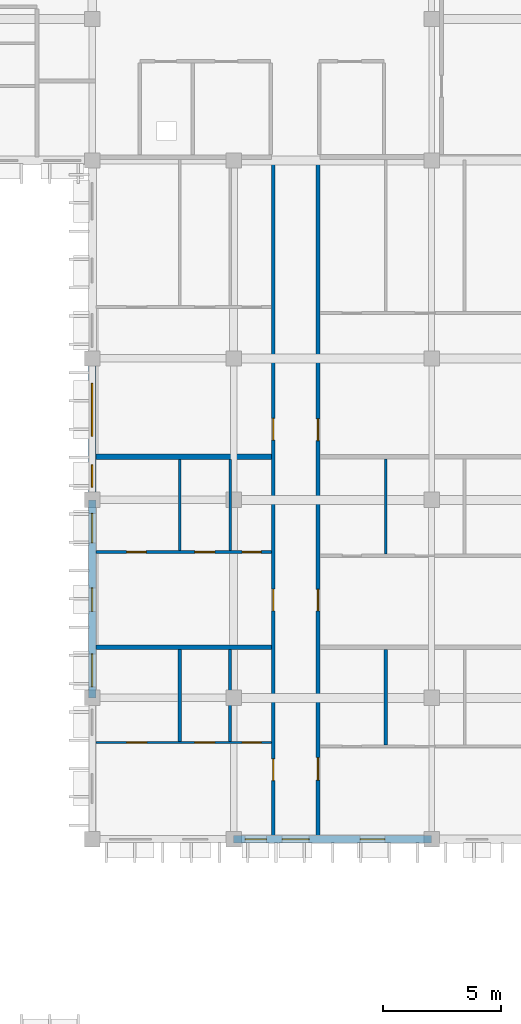
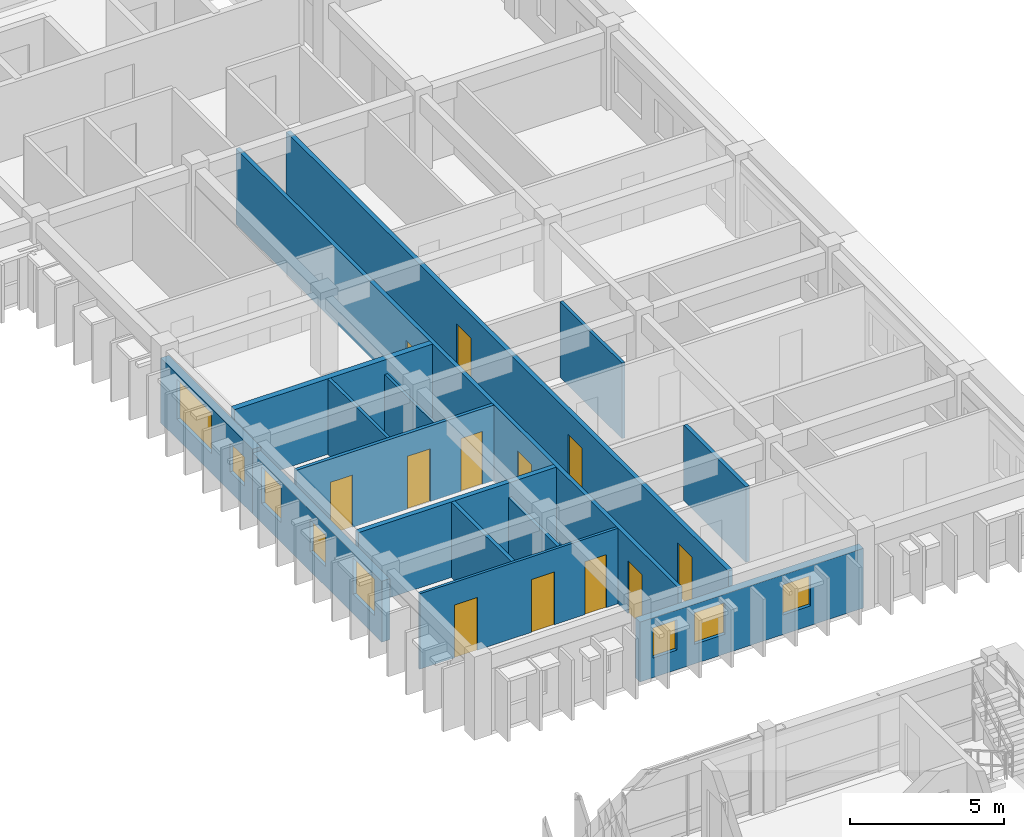
# One storey, part 33 of 66: 15 walls, 12 doors, 8 windows, 20 openings.
"""IFC4 building model written with IfcOpenShell, lengths in metres."""

from ifc_helpers import new_model, si_unit, direction, frame, frame_2d, origin, place, context, subcontext, project, spatial, rectangle, extrude, material, layer, layer_set, type_object, element, fill, save


model = new_model("IFC4")

# Units and contexts
model_context = context("Model", 3, precision=1e-05, world=origin(), true_north=direction((0.0, 1.0)))
body_context = subcontext(model_context, "Body", "Model", "MODEL_VIEW")
ifc_project = project(units=[si_unit("LENGTHUNIT", "METRE"), si_unit("AREAUNIT", "SQUARE_METRE"), si_unit("VOLUMEUNIT", "CUBIC_METRE"), si_unit("PLANEANGLEUNIT", "RADIAN"), si_unit("MASSUNIT", "GRAM", prefix="KILO"), si_unit("THERMODYNAMICTEMPERATUREUNIT", "KELVIN")], contexts=[model_context])

# Site, building, storey
site_placement = place(None, origin())
site = spatial("IfcSite", under=ifc_project, at=site_placement, CompositionType="ELEMENT")
building_placement = place(site_placement, origin())
building = spatial("IfcBuilding", under=site, at=building_placement, Name="Thalorik Housing Commons", CompositionType="ELEMENT")
storey_placement = place(building_placement, frame((0.0, 0.0, 21.300048828125)))
storey = spatial("IfcBuildingStorey", under=building, at=storey_placement, Name="L06", CompositionType="ELEMENT", Elevation=21.300048828125)

# Wall, openings, doors
ifc_material_1 = material(Name="Masonry fire-rated corridor wall", Category="masonry")
ifc_layer_1 = layer(ifc_material_1, 0.14990234375, Name="Masonry fire-rated corridor wall", Category="masonry")
ifc_layer_set_1 = layer_set([ifc_layer_1], Name="Masonry fire-rated corridor wall")
wall_type_1 = type_object("IfcWallType", Name="ARC-WAL-CORR-150", PredefinedType="PARTITIONING", material=ifc_layer_set_1)
wall_1_placement = place(storey_placement, frame((160.080078125, 80.554443359375, 0.0), z_axis=(0.0, 0.0, 1.0), x_axis=(0.0, 1.0, 0.0)))
wall_1 = element("IfcWall", 1, at=wall_1_placement, inside=storey, type_object=wall_type_1, Name="L06 Block B E Corridor Wall 1", PredefinedType="PARTITIONING", context=body_context, shape_type="SweptSolid", body=[
    extrude(rectangle(XDim=28.78564453125, YDim=0.14990234375, at=frame_2d((14.392822265625, 0.0))), origin(), (0.0, 0.0, 1.0), 3.0),
])
opening_1_placement = place(wall_1_placement, frame((2.336669921875, 0.0, 0.0)))
opening_1 = element("IfcOpeningElement", 2, at=opening_1_placement, cuts=wall_1, Name="Opening ID-1272", PredefinedType="OPENING", context=body_context, shape_type="SweptSolid", body=[
    extrude(rectangle(XDim=0.919921875, YDim=2.10009765625, at=frame_2d((0.4599609375, 1.050048828125))), frame((0.0, 0.0849609375, 0.0), z_axis=(0.0, -1.0, 0.0), x_axis=(1.0, 0.0, 0.0)), (0.0, 0.0, 1.0), 0.169921875),
])
opening_2_placement = place(wall_1_placement, frame((9.535400390625, 0.0, 0.0)))
opening_2 = element("IfcOpeningElement", 3, at=opening_2_placement, cuts=wall_1, Name="Opening ID-1273", PredefinedType="OPENING", context=body_context, shape_type="SweptSolid", body=[
    extrude(rectangle(XDim=0.919921875, YDim=2.10009765625, at=frame_2d((0.4599609375, 1.050048828125))), frame((0.0, 0.0849609375, 0.0), z_axis=(0.0, -1.0, 0.0), x_axis=(1.0, 0.0, 0.0)), (0.0, 0.0, 1.0), 0.169921875),
])
opening_3_placement = place(wall_1_placement, frame((16.784423828125, 0.0, 0.0)))
opening_3 = element("IfcOpeningElement", 4, at=opening_3_placement, cuts=wall_1, Name="Opening ID-1274", PredefinedType="OPENING", context=body_context, shape_type="SweptSolid", body=[
    extrude(rectangle(XDim=0.919921875, YDim=2.10009765625, at=frame_2d((0.4599609375, 1.050048828125))), frame((0.0, 0.0849609375, 0.0), z_axis=(0.0, -1.0, 0.0), x_axis=(1.0, 0.0, 0.0)), (0.0, 0.0, 1.0), 0.169921875),
])
ifc_material_2 = material(Name="Solid core hardwood timber", Category="wood")
door_type_1 = type_object("IfcDoorType", Name="ARC-DR-FD30-920", OperationType="NOTDEFINED", PredefinedType="DOOR", material=ifc_material_2)
door_1_placement = place(opening_1_placement, origin())
door_1 = element("IfcDoor", 5, at=door_1_placement, inside=storey, type_object=door_type_1, Name="L06 Flat BE-1A Entrance Door", OperationType="SINGLE_SWING_LEFT", OverallHeight=2.10009765625, OverallWidth=0.919921875, PredefinedType="DOOR", context=body_context, shape_type="SweptSolid", body=[
    extrude(rectangle(XDim=0.919921875, YDim=2.10009765625, at=frame_2d((0.4599609375, 1.050048828125))), frame((0.0, 0.02490234375, 0.0), z_axis=(0.0, -1.0, 0.0), x_axis=(1.0, 0.0, 0.0)), (0.0, 0.0, 1.0), 0.050048828125),
])
fill(opening_1, door_1)
door_2_placement = place(opening_2_placement, origin())
door_2 = element("IfcDoor", 6, at=door_2_placement, inside=storey, type_object=door_type_1, Name="L06 Flat BE-2A Entrance Door", OperationType="SINGLE_SWING_RIGHT", OverallHeight=2.10009765625, OverallWidth=0.919921875, PredefinedType="DOOR", context=body_context, shape_type="SweptSolid", body=[
    extrude(rectangle(XDim=0.919921875, YDim=2.10009765625, at=frame_2d((0.4599609375, 1.050048828125))), frame((0.0, 0.02490234375, 0.0), z_axis=(0.0, -1.0, 0.0), x_axis=(1.0, 0.0, 0.0)), (0.0, 0.0, 1.0), 0.050048828125),
])
fill(opening_2, door_2)
door_3_placement = place(opening_3_placement, origin())
door_3 = element("IfcDoor", 7, at=door_3_placement, inside=storey, type_object=door_type_1, Name="L06 Flat BE-3A Entrance Door", OperationType="SINGLE_SWING_LEFT", OverallHeight=2.10009765625, OverallWidth=0.919921875, PredefinedType="DOOR", context=body_context, shape_type="SweptSolid", body=[
    extrude(rectangle(XDim=0.919921875, YDim=2.10009765625, at=frame_2d((0.4599609375, 1.050048828125))), frame((0.0, 0.02490234375, 0.0), z_axis=(0.0, -1.0, 0.0), x_axis=(1.0, 0.0, 0.0)), (0.0, 0.0, 1.0), 0.050048828125),
])
fill(opening_3, door_3)

ifc_layer_2 = layer(ifc_material_1, 0.1650390625, Name="Masonry fire-rated corridor wall", Category="masonry")
ifc_layer_set_2 = layer_set([ifc_layer_2], Name="Masonry fire-rated corridor wall")
wall_type_2 = type_object("IfcWallType", Name="ARC-WAL-CORR-165", PredefinedType="PARTITIONING", material=ifc_layer_set_2)
wall_2_placement = place(storey_placement, frame((161.97998046875, 80.554443359375, 0.0), z_axis=(0.0, 0.0, 1.0), x_axis=(0.0, 1.0, 0.0)))
wall_2 = element("IfcWall", 8, at=wall_2_placement, inside=storey, type_object=wall_type_2, Name="L06 Block B E Corridor Wall 2", PredefinedType="PARTITIONING", context=body_context, shape_type="SweptSolid", body=[
    extrude(rectangle(XDim=28.78564453125, YDim=0.1650390625, at=frame_2d((14.392822265625, 0.0))), origin(), (0.0, 0.0, 1.0), 3.0),
])
opening_4_placement = place(wall_2_placement, frame((2.3515625, 0.0, 0.0)))
opening_4 = element("IfcOpeningElement", 9, at=opening_4_placement, cuts=wall_2, Name="Opening ID-1275", PredefinedType="OPENING", context=body_context, shape_type="SweptSolid", body=[
    extrude(rectangle(XDim=0.9599609375, YDim=2.1201171875, at=frame_2d((0.47998046875, 1.06005859375))), frame((0.0, 0.092529296875, 0.0), z_axis=(0.0, -1.0, 0.0), x_axis=(1.0, 0.0, 0.0)), (0.0, 0.0, 1.0), 0.18505859375),
])
opening_5_placement = place(wall_2_placement, frame((9.5302734375, 0.0, 0.0)))
opening_5 = element("IfcOpeningElement", 10, at=opening_5_placement, cuts=wall_2, Name="Opening ID-1276", PredefinedType="OPENING", context=body_context, shape_type="SweptSolid", body=[
    extrude(rectangle(XDim=0.919921875, YDim=2.10009765625, at=frame_2d((0.4599609375, 1.050048828125))), frame((0.0, 0.092529296875, 0.0), z_axis=(0.0, -1.0, 0.0), x_axis=(1.0, 0.0, 0.0)), (0.0, 0.0, 1.0), 0.18505859375),
])
opening_6_placement = place(wall_2_placement, frame((16.760498046875, 0.0, 0.0)))
opening_6 = element("IfcOpeningElement", 11, at=opening_6_placement, cuts=wall_2, Name="Opening ID-1277", PredefinedType="OPENING", context=body_context, shape_type="SweptSolid", body=[
    extrude(rectangle(XDim=0.919921875, YDim=2.10009765625, at=frame_2d((0.4599609375, 1.050048828125))), frame((0.0, 0.092529296875, 0.0), z_axis=(0.0, -1.0, 0.0), x_axis=(1.0, 0.0, 0.0)), (0.0, 0.0, 1.0), 0.18505859375),
])
door_4_placement = place(opening_5_placement, origin())
door_4 = element("IfcDoor", 12, at=door_4_placement, inside=storey, type_object=door_type_1, Name="L06 Flat BE-2B Entrance Door", OperationType="SINGLE_SWING_LEFT", OverallHeight=2.10009765625, OverallWidth=0.919921875, PredefinedType="DOOR", context=body_context, shape_type="SweptSolid", body=[
    extrude(rectangle(XDim=0.919921875, YDim=2.10009765625, at=frame_2d((0.4599609375, 1.050048828125))), frame((0.0, 0.02490234375, 0.0), z_axis=(0.0, -1.0, 0.0), x_axis=(1.0, 0.0, 0.0)), (0.0, 0.0, 1.0), 0.050048828125),
])
fill(opening_5, door_4)
door_5_placement = place(opening_6_placement, origin())
door_5 = element("IfcDoor", 13, at=door_5_placement, inside=storey, type_object=door_type_1, Name="L06 Flat BE-3B Entrance Door", OperationType="SINGLE_SWING_RIGHT", OverallHeight=2.10009765625, OverallWidth=0.919921875, PredefinedType="DOOR", context=body_context, shape_type="SweptSolid", body=[
    extrude(rectangle(XDim=0.919921875, YDim=2.10009765625, at=frame_2d((0.4599609375, 1.050048828125))), frame((0.0, 0.02490234375, 0.0), z_axis=(0.0, -1.0, 0.0), x_axis=(1.0, 0.0, 0.0)), (0.0, 0.0, 1.0), 0.050048828125),
])
fill(opening_6, door_5)
door_type_2 = type_object("IfcDoorType", Name="ARC-DR-FD30-960", OperationType="NOTDEFINED", PredefinedType="DOOR", material=ifc_material_2)
door_6_placement = place(opening_4_placement, origin())
door_6 = element("IfcDoor", 14, at=door_6_placement, inside=storey, type_object=door_type_2, Name="L06 Flat BE-1B Entrance Door", OperationType="SINGLE_SWING_RIGHT", OverallHeight=2.1201171875, OverallWidth=0.9599609375, PredefinedType="DOOR", context=body_context, shape_type="SweptSolid", body=[
    extrude(rectangle(XDim=0.9599609375, YDim=2.1201171875, at=frame_2d((0.47998046875, 1.06005859375))), frame((0.0, 0.02490234375, 0.0), z_axis=(0.0, -1.0, 0.0), x_axis=(1.0, 0.0, 0.0)), (0.0, 0.0, 1.0), 0.050048828125),
])
fill(opening_4, door_6)

# Wall, openings, windows
ifc_material_3 = material(Name="White precast concrete C40/50", Category="concrete")
ifc_layer_3 = layer(ifc_material_3, 0.304931640625, Name="White precast concrete C40/50", Category="concrete")
ifc_layer_set_3 = layer_set([ifc_layer_3], Name="White precast concrete C40/50")
wall_type_3 = type_object("IfcWallType", Name="ARC-WAL-EXT-305", PredefinedType="STANDARD", material=ifc_layer_set_3)
wall_3_placement = place(storey_placement, frame((152.39990234375, 100.800048828125, 0.0), z_axis=(0.0, 0.0, 1.0), x_axis=(0.0, -1.0, 0.0)))
wall_3 = element("IfcWall", 15, at=wall_3_placement, inside=storey, type_object=wall_type_3, Name="L06 Exterior Wall WAL-EXT-L06-B-0625", PredefinedType="STANDARD", context=body_context, shape_type="SweptSolid", body=[
    extrude(rectangle(XDim=6.0, YDim=0.304931640625, at=frame_2d((3.0, 0.0))), origin(), (0.0, 0.0, 1.0), 2.574951171875),
])
opening_7_placement = place(wall_3_placement, frame((1.054931640625, 0.0, 0.780029296875)))
opening_7 = element("IfcOpeningElement", 16, at=opening_7_placement, cuts=wall_3, Name="Opening W-31", PredefinedType="OPENING", context=body_context, shape_type="SweptSolid", body=[
    extrude(rectangle(XDim=2.25, YDim=1.60009765625, at=frame_2d((1.125, 0.800048828125))), frame((0.0, 0.16259765625, 0.0), z_axis=(0.0, -1.0, 0.0), x_axis=(1.0, 0.0, 0.0)), (0.0, 0.0, 1.0), 0.324951171875),
])
opening_8_placement = place(wall_3_placement, frame((4.514892578125, 0.0, 0.780029296875)))
opening_8 = element("IfcOpeningElement", 17, at=opening_8_placement, cuts=wall_3, Name="Opening W-43", PredefinedType="OPENING", context=body_context, shape_type="SweptSolid", body=[
    extrude(rectangle(XDim=0.949951171875, YDim=1.14990234375, at=frame_2d((0.47509765625, 0.574951171875))), frame((0.0, 0.16259765625, 0.0), z_axis=(0.0, -1.0, 0.0), x_axis=(1.0, 0.0, 0.0)), (0.0, 0.0, 1.0), 0.324951171875),
])
ifc_material_4 = material(Name="Anodised aluminium and solar-control low-E glass", Category="aluminium")
window_type_1 = type_object("IfcWindowType", Name="ARC-WIN-31", PartitioningType="DOUBLE_PANEL_VERTICAL", PredefinedType="WINDOW", material=ifc_material_4)
window_1_placement = place(opening_7_placement, origin())
window_1 = element("IfcWindow", 18, at=window_1_placement, inside=storey, type_object=window_type_1, Name="L06 Facade Window 1139", OverallHeight=1.60009765625, OverallWidth=2.25, PartitioningType="DOUBLE_PANEL_VERTICAL", PredefinedType="WINDOW", context=body_context, shape_type="SweptSolid", body=[
    extrude(rectangle(XDim=2.25, YDim=1.60009765625, at=frame_2d((1.125, 0.800048828125))), frame((0.0, 0.030029296875, 0.0), z_axis=(0.0, -1.0, 0.0), x_axis=(1.0, 0.0, 0.0)), (0.0, 0.0, 1.0), 0.06005859375),
])
fill(opening_7, window_1)
window_type_2 = type_object("IfcWindowType", Name="ARC-WIN-43", PartitioningType="SINGLE_PANEL", PredefinedType="WINDOW", material=ifc_material_4)
window_2_placement = place(opening_8_placement, origin())
window_2 = element("IfcWindow", 19, at=window_2_placement, inside=storey, type_object=window_type_2, Name="L06 Facade Window 1140", OverallHeight=1.14990234375, OverallWidth=0.949951171875, PartitioningType="SINGLE_PANEL", PredefinedType="WINDOW", context=body_context, shape_type="SweptSolid", body=[
    extrude(rectangle(XDim=0.949951171875, YDim=1.14990234375, at=frame_2d((0.47509765625, 0.574951171875))), frame((0.0, 0.030029296875, 0.0), z_axis=(0.0, -1.0, 0.0), x_axis=(1.0, 0.0, 0.0)), (0.0, 0.0, 1.0), 0.06005859375),
])
fill(opening_8, window_2)

wall_4_placement = place(storey_placement, frame((152.39990234375, 94.800048828125, 0.0), z_axis=(0.0, 0.0, 1.0), x_axis=(0.0, -1.0, 0.0)))
wall_4 = element("IfcWall", 20, at=wall_4_placement, inside=storey, type_object=wall_type_3, Name="L06 Exterior Wall WAL-EXT-L06-B-0626", PredefinedType="STANDARD", context=body_context, shape_type="SweptSolid", body=[
    extrude(rectangle(XDim=8.400146484375, YDim=0.304931640625, at=frame_2d((4.2001953125, 0.0))), origin(), (0.0, 0.0, 1.0), 2.425048828125),
])
opening_9_placement = place(wall_4_placement, frame((0.574951171875, 0.0, 0.780029296875)))
opening_9 = element("IfcOpeningElement", 21, at=opening_9_placement, cuts=wall_4, Name="Opening W-47", PredefinedType="OPENING", context=body_context, shape_type="SweptSolid", body=[
    extrude(rectangle(XDim=1.25, YDim=1.449951171875, at=frame_2d((0.625, 0.72509765625))), frame((0.0, 0.16259765625, 0.0), z_axis=(0.0, -1.0, 0.0), x_axis=(1.0, 0.0, 0.0)), (0.0, 0.0, 1.0), 0.324951171875),
])
opening_10_placement = place(wall_4_placement, frame((3.72998046875, 0.0, 0.780029296875)))
opening_10 = element("IfcOpeningElement", 22, at=opening_10_placement, cuts=wall_4, Name="Opening W-02", PredefinedType="OPENING", context=body_context, shape_type="SweptSolid", body=[
    extrude(rectangle(XDim=1.0, YDim=1.25, at=frame_2d((0.5, 0.625))), frame((0.0, 0.16259765625, 0.0), z_axis=(0.0, -1.0, 0.0), x_axis=(1.0, 0.0, 0.0)), (0.0, 0.0, 1.0), 0.324951171875),
])
opening_11_placement = place(wall_4_placement, frame((6.530029296875, 0.0, 0.780029296875)))
opening_11 = element("IfcOpeningElement", 23, at=opening_11_placement, cuts=wall_4, Name="Opening W-08", PredefinedType="OPENING", context=body_context, shape_type="SweptSolid", body=[
    extrude(rectangle(XDim=1.39990234375, YDim=1.449951171875, at=frame_2d((0.699951171875, 0.72509765625))), frame((0.0, 0.16259765625, 0.0), z_axis=(0.0, -1.0, 0.0), x_axis=(1.0, 0.0, 0.0)), (0.0, 0.0, 1.0), 0.324951171875),
])
window_type_3 = type_object("IfcWindowType", Name="ARC-WIN-02", PartitioningType="SINGLE_PANEL", PredefinedType="WINDOW", material=ifc_material_4)
window_3_placement = place(opening_10_placement, origin())
window_3 = element("IfcWindow", 24, at=window_3_placement, inside=storey, type_object=window_type_3, Name="L06 Facade Window 1142", OverallHeight=1.25, OverallWidth=1.0, PartitioningType="SINGLE_PANEL", PredefinedType="WINDOW", context=body_context, shape_type="SweptSolid", body=[
    extrude(rectangle(XDim=1.0, YDim=1.25, at=frame_2d((0.5, 0.625))), frame((0.0, 0.030029296875, 0.0), z_axis=(0.0, -1.0, 0.0), x_axis=(1.0, 0.0, 0.0)), (0.0, 0.0, 1.0), 0.06005859375),
])
fill(opening_10, window_3)
window_type_4 = type_object("IfcWindowType", Name="ARC-WIN-08", PartitioningType="SINGLE_PANEL", PredefinedType="WINDOW", material=ifc_material_4)
window_4_placement = place(opening_11_placement, origin())
window_4 = element("IfcWindow", 25, at=window_4_placement, inside=storey, type_object=window_type_4, Name="L06 Facade Window 1143", OverallHeight=1.449951171875, OverallWidth=1.39990234375, PartitioningType="SINGLE_PANEL", PredefinedType="WINDOW", context=body_context, shape_type="SweptSolid", body=[
    extrude(rectangle(XDim=1.39990234375, YDim=1.449951171875, at=frame_2d((0.699951171875, 0.72509765625))), frame((0.0, 0.030029296875, 0.0), z_axis=(0.0, -1.0, 0.0), x_axis=(1.0, 0.0, 0.0)), (0.0, 0.0, 1.0), 0.06005859375),
])
fill(opening_11, window_4)
window_type_5 = type_object("IfcWindowType", Name="ARC-WIN-47", PartitioningType="SINGLE_PANEL", PredefinedType="WINDOW", material=ifc_material_4)
window_5_placement = place(opening_9_placement, origin())
window_5 = element("IfcWindow", 26, at=window_5_placement, inside=storey, type_object=window_type_5, Name="L06 Facade Window 1141", OverallHeight=1.449951171875, OverallWidth=1.25, PartitioningType="SINGLE_PANEL", PredefinedType="WINDOW", context=body_context, shape_type="SweptSolid", body=[
    extrude(rectangle(XDim=1.25, YDim=1.449951171875, at=frame_2d((0.625, 0.72509765625))), frame((0.0, 0.030029296875, 0.0), z_axis=(0.0, -1.0, 0.0), x_axis=(1.0, 0.0, 0.0)), (0.0, 0.0, 1.0), 0.06005859375),
])
fill(opening_9, window_5)

wall_5_placement = place(storey_placement, frame((158.39990234375, 80.39990234375, 0.0), z_axis=(0.0, 0.0, 1.0), x_axis=(1.0, 0.0, 0.0)))
wall_5 = element("IfcWall", 27, at=wall_5_placement, inside=storey, type_object=wall_type_3, Name="L06 Exterior Wall WAL-EXT-L06-B-0629", PredefinedType="STANDARD", context=body_context, shape_type="SweptSolid", body=[
    extrude(rectangle(XDim=8.400146484375, YDim=0.304931640625, at=frame_2d((4.2001953125, 0.0))), origin(), (0.0, 0.0, 1.0), 2.375),
])
opening_12_placement = place(wall_5_placement, frame((0.485107421875, 0.0, 0.780029296875)))
opening_12 = element("IfcOpeningElement", 28, at=opening_12_placement, cuts=wall_5, Name="Opening W-01", PredefinedType="OPENING", context=body_context, shape_type="SweptSolid", body=[
    extrude(rectangle(XDim=0.89990234375, YDim=1.199951171875, at=frame_2d((0.449951171875, 0.60009765625))), frame((0.0, 0.16259765625, 0.0), z_axis=(0.0, -1.0, 0.0), x_axis=(1.0, 0.0, 0.0)), (0.0, 0.0, 1.0), 0.324951171875),
])
opening_13_placement = place(wall_5_placement, frame((2.054931640625, 0.0, 0.780029296875)))
opening_13 = element("IfcOpeningElement", 29, at=opening_13_placement, cuts=wall_5, Name="Opening W-45", PredefinedType="OPENING", context=body_context, shape_type="SweptSolid", body=[
    extrude(rectangle(XDim=1.14990234375, YDim=1.25, at=frame_2d((0.574951171875, 0.625))), frame((0.0, 0.16259765625, 0.0), z_axis=(0.0, -1.0, 0.0), x_axis=(1.0, 0.0, 0.0)), (0.0, 0.0, 1.0), 0.324951171875),
])
opening_14_placement = place(wall_5_placement, frame((5.3701171875, 0.0, 0.780029296875)))
opening_14 = element("IfcOpeningElement", 30, at=opening_14_placement, cuts=wall_5, Name="Opening W-44", PredefinedType="OPENING", context=body_context, shape_type="SweptSolid", body=[
    extrude(rectangle(XDim=1.050048828125, YDim=1.199951171875, at=frame_2d((0.52490234375, 0.60009765625))), frame((0.0, 0.16259765625, 0.0), z_axis=(0.0, -1.0, 0.0), x_axis=(1.0, 0.0, 0.0)), (0.0, 0.0, 1.0), 0.324951171875),
])
window_type_6 = type_object("IfcWindowType", Name="ARC-WIN-01", PartitioningType="SINGLE_PANEL", PredefinedType="WINDOW", material=ifc_material_4)
window_6_placement = place(opening_12_placement, origin())
window_6 = element("IfcWindow", 31, at=window_6_placement, inside=storey, type_object=window_type_6, Name="L06 Facade Window 1148", OverallHeight=1.199951171875, OverallWidth=0.89990234375, PartitioningType="SINGLE_PANEL", PredefinedType="WINDOW", context=body_context, shape_type="SweptSolid", body=[
    extrude(rectangle(XDim=0.89990234375, YDim=1.199951171875, at=frame_2d((0.449951171875, 0.60009765625))), frame((0.0, 0.030029296875, 0.0), z_axis=(0.0, -1.0, 0.0), x_axis=(1.0, 0.0, 0.0)), (0.0, 0.0, 1.0), 0.06005859375),
])
fill(opening_12, window_6)
window_type_7 = type_object("IfcWindowType", Name="ARC-WIN-44", PartitioningType="SINGLE_PANEL", PredefinedType="WINDOW", material=ifc_material_4)
window_7_placement = place(opening_14_placement, origin())
window_7 = element("IfcWindow", 32, at=window_7_placement, inside=storey, type_object=window_type_7, Name="L06 Facade Window 1150", OverallHeight=1.199951171875, OverallWidth=1.050048828125, PartitioningType="SINGLE_PANEL", PredefinedType="WINDOW", context=body_context, shape_type="SweptSolid", body=[
    extrude(rectangle(XDim=1.050048828125, YDim=1.199951171875, at=frame_2d((0.52490234375, 0.60009765625))), frame((0.0, 0.030029296875, 0.0), z_axis=(0.0, -1.0, 0.0), x_axis=(1.0, 0.0, 0.0)), (0.0, 0.0, 1.0), 0.06005859375),
])
fill(opening_14, window_7)
window_type_8 = type_object("IfcWindowType", Name="ARC-WIN-45", PartitioningType="SINGLE_PANEL", PredefinedType="WINDOW", material=ifc_material_4)
window_8_placement = place(opening_13_placement, origin())
window_8 = element("IfcWindow", 33, at=window_8_placement, inside=storey, type_object=window_type_8, Name="L06 Facade Window 1149", OverallHeight=1.25, OverallWidth=1.14990234375, PartitioningType="SINGLE_PANEL", PredefinedType="WINDOW", context=body_context, shape_type="SweptSolid", body=[
    extrude(rectangle(XDim=1.14990234375, YDim=1.25, at=frame_2d((0.574951171875, 0.625))), frame((0.0, 0.030029296875, 0.0), z_axis=(0.0, -1.0, 0.0), x_axis=(1.0, 0.0, 0.0)), (0.0, 0.0, 1.0), 0.06005859375),
])
fill(opening_13, window_8)

# Wall, openings, doors
ifc_material_5 = material(Name="Gypsum light stud partition", Category="masonry")
ifc_layer_4 = layer(ifc_material_5, 0.10009765625, Name="Gypsum light stud partition", Category="masonry")
ifc_layer_set_4 = layer_set([ifc_layer_4], Name="Gypsum light stud partition")
wall_type_4 = type_object("IfcWallType", Name="ARC-WAL-PART-100", PredefinedType="PARTITIONING", material=ifc_layer_set_4)
wall_6_placement = place(storey_placement, frame((152.554443359375, 84.5048828125, 0.0), z_axis=(0.0, 0.0, 1.0), x_axis=(1.0, 0.0, 0.0)))
wall_6 = element("IfcWall", 34, at=wall_6_placement, inside=storey, type_object=wall_type_4, Name="L06 Unit 1 Spine Partition", PredefinedType="PARTITIONING", context=body_context, shape_type="SweptSolid", body=[
    extrude(rectangle(XDim=7.448486328125, YDim=0.10009765625, at=frame_2d((3.72412109375, 0.0))), origin(), (0.0, 0.0, 1.0), 3.0),
])
opening_15_placement = place(wall_6_placement, frame((1.309326171875, 0.0, 0.0)))
opening_15 = element("IfcOpeningElement", 35, at=opening_15_placement, cuts=wall_6, Name="Opening ID-1254", PredefinedType="OPENING", context=body_context, shape_type="SweptSolid", body=[
    extrude(rectangle(XDim=0.85009765625, YDim=2.10009765625, at=frame_2d((0.425048828125, 1.050048828125))), frame((0.0, 0.06005859375, 0.0), z_axis=(0.0, -1.0, 0.0), x_axis=(1.0, 0.0, 0.0)), (0.0, 0.0, 1.0), 0.1201171875),
])
opening_16_placement = place(wall_6_placement, frame((4.204833984375, 0.0, 0.0)))
opening_16 = element("IfcOpeningElement", 36, at=opening_16_placement, cuts=wall_6, Name="Opening ID-1255", PredefinedType="OPENING", context=body_context, shape_type="SweptSolid", body=[
    extrude(rectangle(XDim=0.85009765625, YDim=2.10009765625, at=frame_2d((0.425048828125, 1.050048828125))), frame((0.0, 0.06005859375, 0.0), z_axis=(0.0, -1.0, 0.0), x_axis=(1.0, 0.0, 0.0)), (0.0, 0.0, 1.0), 0.1201171875),
])
opening_17_placement = place(wall_6_placement, frame((6.211181640625, 0.0, 0.0)))
opening_17 = element("IfcOpeningElement", 37, at=opening_17_placement, cuts=wall_6, Name="Opening ID-1256", PredefinedType="OPENING", context=body_context, shape_type="SweptSolid", body=[
    extrude(rectangle(XDim=0.800048828125, YDim=2.10009765625, at=frame_2d((0.39990234375, 1.050048828125))), frame((0.0, 0.06005859375, 0.0), z_axis=(0.0, -1.0, 0.0), x_axis=(1.0, 0.0, 0.0)), (0.0, 0.0, 1.0), 0.1201171875),
])
ifc_material_6 = material(Name="Moisture-resistant timber", Category="wood")
door_type_3 = type_object("IfcDoorType", Name="ARC-DR-INT-800", OperationType="NOTDEFINED", PredefinedType="DOOR", material=ifc_material_6)
door_7_placement = place(opening_17_placement, origin())
door_7 = element("IfcDoor", 38, at=door_7_placement, inside=storey, type_object=door_type_3, Name="L06 Flat Bathroom Door", OperationType="SINGLE_SWING_LEFT", OverallHeight=2.10009765625, OverallWidth=0.800048828125, PredefinedType="DOOR", context=body_context, shape_type="SweptSolid", body=[
    extrude(rectangle(XDim=0.800048828125, YDim=2.10009765625, at=frame_2d((0.39990234375, 1.050048828125))), frame((0.0, 0.02490234375, 0.0), z_axis=(0.0, -1.0, 0.0), x_axis=(1.0, 0.0, 0.0)), (0.0, 0.0, 1.0), 0.050048828125),
])
fill(opening_17, door_7)
ifc_material_7 = material(Name="Engineered oak timber", Category="wood")
door_type_4 = type_object("IfcDoorType", Name="ARC-DR-INT-850", OperationType="NOTDEFINED", PredefinedType="DOOR", material=ifc_material_7)
door_8_placement = place(opening_15_placement, origin())
door_8 = element("IfcDoor", 39, at=door_8_placement, inside=storey, type_object=door_type_4, Name="L06 Double Bedroom Door", OperationType="SINGLE_SWING_LEFT", OverallHeight=2.10009765625, OverallWidth=0.85009765625, PredefinedType="DOOR", context=body_context, shape_type="SweptSolid", body=[
    extrude(rectangle(XDim=0.85009765625, YDim=2.10009765625, at=frame_2d((0.425048828125, 1.050048828125))), frame((0.0, 0.02490234375, 0.0), z_axis=(0.0, -1.0, 0.0), x_axis=(1.0, 0.0, 0.0)), (0.0, 0.0, 1.0), 0.050048828125),
])
fill(opening_15, door_8)
door_9_placement = place(opening_16_placement, origin())
door_9 = element("IfcDoor", 40, at=door_9_placement, inside=storey, type_object=door_type_4, Name="L06 Galley Kitchen Door", OperationType="SINGLE_SWING_RIGHT", OverallHeight=2.10009765625, OverallWidth=0.85009765625, PredefinedType="DOOR", context=body_context, shape_type="SweptSolid", body=[
    extrude(rectangle(XDim=0.85009765625, YDim=2.10009765625, at=frame_2d((0.425048828125, 1.050048828125))), frame((0.0, 0.02490234375, 0.0), z_axis=(0.0, -1.0, 0.0), x_axis=(1.0, 0.0, 0.0)), (0.0, 0.0, 1.0), 0.050048828125),
])
fill(opening_16, door_9)

# Walls
wall_7_placement = place(storey_placement, frame((158.251220703125, 92.654541015625, 0.0), z_axis=(0.0, 0.0, 1.0), x_axis=(0.0, 1.0, 0.0)))
element("IfcWall", 41, at=wall_7_placement, inside=storey, type_object=wall_type_4, Name="L06 Unit 2 Wet Wall", PredefinedType="PARTITIONING", context=body_context, shape_type="SweptSolid", body=[
    extrude(rectangle(XDim=3.863525390625, YDim=0.10009765625, at=frame_2d((1.931640625, 0.0))), origin(), (0.0, 0.0, 1.0), 2.425048828125),
])
ifc_material_8 = material(Name="Gypsum moisture-resistant partition", Category="masonry")
ifc_layer_5 = layer(ifc_material_8, 0.114990234375, Name="Gypsum moisture-resistant partition", Category="masonry")
ifc_layer_set_5 = layer_set([ifc_layer_5], Name="Gypsum moisture-resistant partition")
wall_type_5 = type_object("IfcWallType", Name="ARC-WAL-PART-115", PredefinedType="PARTITIONING", material=ifc_layer_set_5)
wall_8_placement = place(storey_placement, frame((156.11767578125, 92.654541015625, 0.0), z_axis=(0.0, 0.0, 1.0), x_axis=(0.0, 1.0, 0.0)))
element("IfcWall", 42, at=wall_8_placement, inside=storey, type_object=wall_type_5, Name="L06 Unit 2 Bedroom Partition", PredefinedType="PARTITIONING", context=body_context, shape_type="SweptSolid", body=[
    extrude(rectangle(XDim=3.863525390625, YDim=0.114990234375, at=frame_2d((1.931640625, 0.0))), origin(), (0.0, 0.0, 1.0), 3.0),
])
wall_9_placement = place(storey_placement, frame((164.850341796875, 92.50048828125, 0.0), z_axis=(0.0, 0.0, 1.0), x_axis=(0.0, 1.0, 0.0)))
element("IfcWall", 43, at=wall_9_placement, inside=storey, type_object=wall_type_5, Name="L06 Unit 2B Wet Wall", PredefinedType="PARTITIONING", context=body_context, shape_type="SweptSolid", body=[
    extrude(rectangle(XDim=4.034912109375, YDim=0.114990234375, at=frame_2d((2.017578125, 0.0))), origin(), (0.0, 0.0, 1.0), 3.0),
])
ifc_material_9 = material(Name="Gypsum acoustic stud partition", Category="masonry")
ifc_layer_6 = layer(ifc_material_9, 0.125, Name="Gypsum acoustic stud partition", Category="masonry")
ifc_layer_set_6 = layer_set([ifc_layer_6], Name="Gypsum acoustic stud partition")
wall_type_6 = type_object("IfcWallType", Name="ARC-WAL-PART-125", PredefinedType="PARTITIONING", material=ifc_layer_set_6)
wall_10_placement = place(storey_placement, frame((158.251220703125, 84.556884765625, 0.0), z_axis=(0.0, 0.0, 1.0), x_axis=(0.0, 1.0, 0.0)))
element("IfcWall", 44, at=wall_10_placement, inside=storey, type_object=wall_type_6, Name="L06 Unit 1 Wet Wall", PredefinedType="PARTITIONING", context=body_context, shape_type="SweptSolid", body=[
    extrude(rectangle(XDim=3.898681640625, YDim=0.125, at=frame_2d((1.94921875, 0.0))), origin(), (0.0, 0.0, 1.0), 2.425048828125),
])

# Wall, openings, doors
wall_11_placement = place(storey_placement, frame((152.554443359375, 92.590087890625, 0.0), z_axis=(0.0, 0.0, 1.0), x_axis=(1.0, 0.0, 0.0)))
wall_11 = element("IfcWall", 45, at=wall_11_placement, inside=storey, type_object=wall_type_6, Name="L06 Unit 2 Spine Partition", PredefinedType="PARTITIONING", context=body_context, shape_type="SweptSolid", body=[
    extrude(rectangle(XDim=7.448486328125, YDim=0.125, at=frame_2d((3.72412109375, 0.0))), origin(), (0.0, 0.0, 1.0), 3.0),
])
opening_18_placement = place(wall_11_placement, frame((1.309326171875, 0.0, 0.0)))
opening_18 = element("IfcOpeningElement", 46, at=opening_18_placement, cuts=wall_11, Name="Opening ID-1260", PredefinedType="OPENING", context=body_context, shape_type="SweptSolid", body=[
    extrude(rectangle(XDim=0.820068359375, YDim=2.080078125, at=frame_2d((0.41015625, 1.0400390625))), frame((0.0, 0.072509765625, 0.0), z_axis=(0.0, -1.0, 0.0), x_axis=(1.0, 0.0, 0.0)), (0.0, 0.0, 1.0), 0.14501953125),
])
opening_19_placement = place(wall_11_placement, frame((4.204833984375, 0.0, 0.0)))
opening_19 = element("IfcOpeningElement", 47, at=opening_19_placement, cuts=wall_11, Name="Opening ID-1261", PredefinedType="OPENING", context=body_context, shape_type="SweptSolid", body=[
    extrude(rectangle(XDim=0.85009765625, YDim=2.10009765625, at=frame_2d((0.425048828125, 1.050048828125))), frame((0.0, 0.072509765625, 0.0), z_axis=(0.0, -1.0, 0.0), x_axis=(1.0, 0.0, 0.0)), (0.0, 0.0, 1.0), 0.14501953125),
])
opening_20_placement = place(wall_11_placement, frame((6.211181640625, 0.0, 0.0)))
opening_20 = element("IfcOpeningElement", 48, at=opening_20_placement, cuts=wall_11, Name="Opening ID-1262", PredefinedType="OPENING", context=body_context, shape_type="SweptSolid", body=[
    extrude(rectangle(XDim=0.800048828125, YDim=2.10009765625, at=frame_2d((0.39990234375, 1.050048828125))), frame((0.0, 0.072509765625, 0.0), z_axis=(0.0, -1.0, 0.0), x_axis=(1.0, 0.0, 0.0)), (0.0, 0.0, 1.0), 0.14501953125),
])
door_10_placement = place(opening_20_placement, origin())
door_10 = element("IfcDoor", 49, at=door_10_placement, inside=storey, type_object=door_type_3, Name="L06 Flat Bathroom Door", OperationType="SINGLE_SWING_LEFT", OverallHeight=2.10009765625, OverallWidth=0.800048828125, PredefinedType="DOOR", context=body_context, shape_type="SweptSolid", body=[
    extrude(rectangle(XDim=0.800048828125, YDim=2.10009765625, at=frame_2d((0.39990234375, 1.050048828125))), frame((0.0, 0.02490234375, 0.0), z_axis=(0.0, -1.0, 0.0), x_axis=(1.0, 0.0, 0.0)), (0.0, 0.0, 1.0), 0.050048828125),
])
fill(opening_20, door_10)
door_type_5 = type_object("IfcDoorType", Name="ARC-DR-INT-820", OperationType="NOTDEFINED", PredefinedType="DOOR", material=ifc_material_7)
door_11_placement = place(opening_18_placement, origin())
door_11 = element("IfcDoor", 50, at=door_11_placement, inside=storey, type_object=door_type_5, Name="L06 Double Bedroom Door", OperationType="SINGLE_SWING_LEFT", OverallHeight=2.080078125, OverallWidth=0.820068359375, PredefinedType="DOOR", context=body_context, shape_type="SweptSolid", body=[
    extrude(rectangle(XDim=0.820068359375, YDim=2.080078125, at=frame_2d((0.41015625, 1.0400390625))), frame((0.0, 0.02490234375, 0.0), z_axis=(0.0, -1.0, 0.0), x_axis=(1.0, 0.0, 0.0)), (0.0, 0.0, 1.0), 0.050048828125),
])
fill(opening_18, door_11)
door_12_placement = place(opening_19_placement, origin())
door_12 = element("IfcDoor", 51, at=door_12_placement, inside=storey, type_object=door_type_4, Name="L06 Galley Kitchen Door", OperationType="SINGLE_SWING_RIGHT", OverallHeight=2.10009765625, OverallWidth=0.85009765625, PredefinedType="DOOR", context=body_context, shape_type="SweptSolid", body=[
    extrude(rectangle(XDim=0.85009765625, YDim=2.10009765625, at=frame_2d((0.425048828125, 1.050048828125))), frame((0.0, 0.02490234375, 0.0), z_axis=(0.0, -1.0, 0.0), x_axis=(1.0, 0.0, 0.0)), (0.0, 0.0, 1.0), 0.050048828125),
])
fill(opening_19, door_12)

# Walls
ifc_material_10 = material(Name="Ceramic masonry partition wall", Category="masonry")
ifc_layer_7 = layer(ifc_material_10, 0.139892578125, Name="Ceramic masonry partition wall", Category="masonry")
ifc_layer_set_7 = layer_set([ifc_layer_7], Name="Ceramic masonry partition wall")
wall_type_7 = type_object("IfcWallType", Name="ARC-WAL-PART-140", PredefinedType="PARTITIONING", material=ifc_layer_set_7)
wall_12_placement = place(storey_placement, frame((156.11767578125, 84.556884765625, 0.0), z_axis=(0.0, 0.0, 1.0), x_axis=(0.0, 1.0, 0.0)))
element("IfcWall", 52, at=wall_12_placement, inside=storey, type_object=wall_type_7, Name="L06 Unit 1 Bedroom Partition", PredefinedType="PARTITIONING", context=body_context, shape_type="SweptSolid", body=[
    extrude(rectangle(XDim=3.898681640625, YDim=0.139892578125, at=frame_2d((1.94921875, 0.0))), origin(), (0.0, 0.0, 1.0), 3.0),
])
wall_13_placement = place(storey_placement, frame((164.850341796875, 84.402587890625, 0.0), z_axis=(0.0, 0.0, 1.0), x_axis=(0.0, 1.0, 0.0)))
element("IfcWall", 53, at=wall_13_placement, inside=storey, type_object=wall_type_7, Name="L06 Unit 1B Wet Wall", PredefinedType="PARTITIONING", context=body_context, shape_type="SweptSolid", body=[
    extrude(rectangle(XDim=4.04541015625, YDim=0.139892578125, at=frame_2d((2.022705078125, 0.0))), origin(), (0.0, 0.0, 1.0), 3.0),
])
ifc_material_11 = material(Name="Masonry acoustic blockwork wall", Category="masonry")
ifc_layer_8 = layer(ifc_material_11, 0.18505859375, Name="Masonry acoustic blockwork wall", Category="masonry")
ifc_layer_set_8 = layer_set([ifc_layer_8], Name="Masonry acoustic blockwork wall")
wall_type_8 = type_object("IfcWallType", Name="ARC-WAL-PARTY-185", PredefinedType="PARTITIONING", material=ifc_layer_set_8)
wall_14_placement = place(storey_placement, frame((152.554443359375, 88.550048828125, 0.0), z_axis=(0.0, 0.0, 1.0), x_axis=(1.0, 0.0, 0.0)))
element("IfcWall", 54, at=wall_14_placement, inside=storey, type_object=wall_type_8, Name="L06 Inter-Tenancy Wall 1A", PredefinedType="PARTITIONING", context=body_context, shape_type="SweptSolid", body=[
    extrude(rectangle(XDim=7.448486328125, YDim=0.18505859375, at=frame_2d((3.72412109375, 0.0))), origin(), (0.0, 0.0, 1.0), 3.0),
])
ifc_material_12 = material(Name="Precast concrete C40/50 acoustic wall", Category="concrete")
ifc_layer_9 = layer(ifc_material_12, 0.219970703125, Name="Precast concrete C40/50 acoustic wall", Category="concrete")
ifc_layer_set_9 = layer_set([ifc_layer_9], Name="Precast concrete C40/50 acoustic wall")
wall_type_9 = type_object("IfcWallType", Name="ARC-WAL-PARTY-220", PredefinedType="PARTITIONING", material=ifc_layer_set_9)
wall_15_placement = place(storey_placement, frame((152.554443359375, 96.6298828125, 0.0), z_axis=(0.0, 0.0, 1.0), x_axis=(1.0, 0.0, 0.0)))
element("IfcWall", 55, at=wall_15_placement, inside=storey, type_object=wall_type_9, Name="L06 Inter-Tenancy Wall 2A", PredefinedType="PARTITIONING", context=body_context, shape_type="SweptSolid", body=[
    extrude(rectangle(XDim=7.448486328125, YDim=0.219970703125, at=frame_2d((3.72412109375, 0.0))), origin(), (0.0, 0.0, 1.0), 3.0),
])

save(model, "model.ifc")
